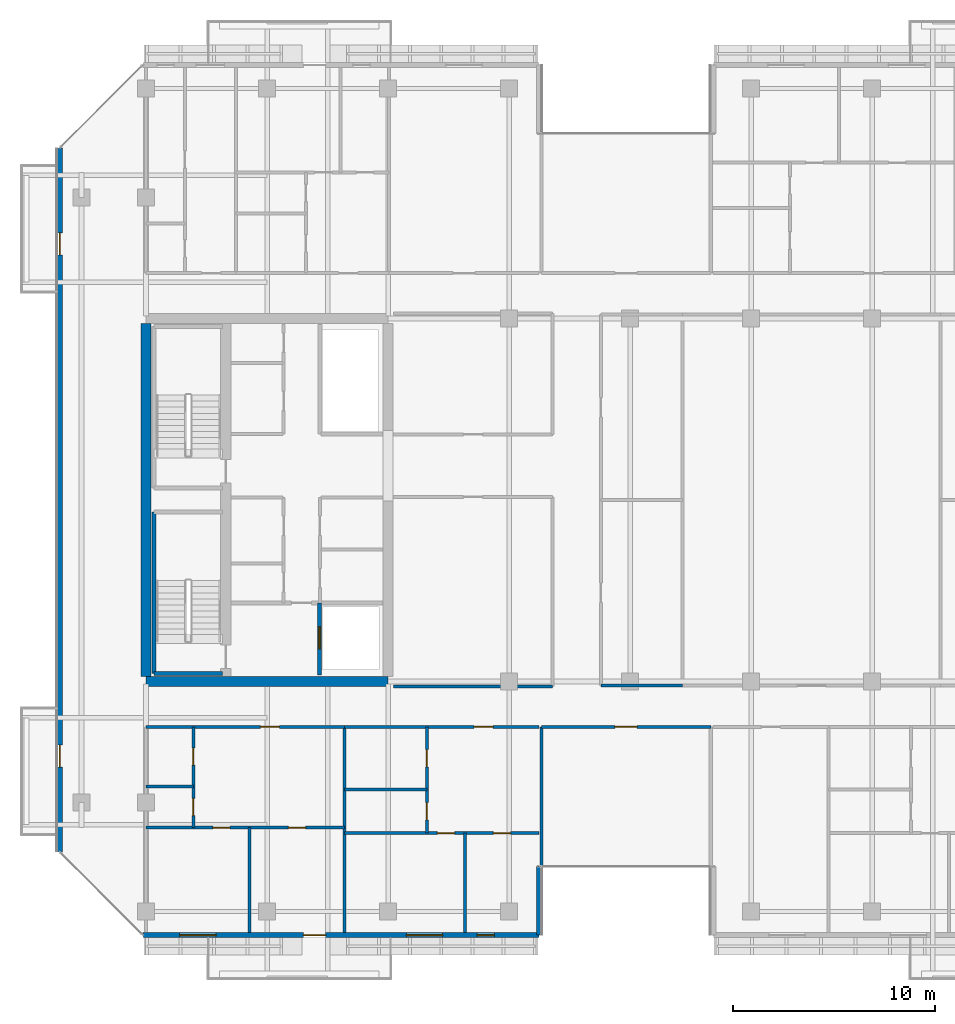
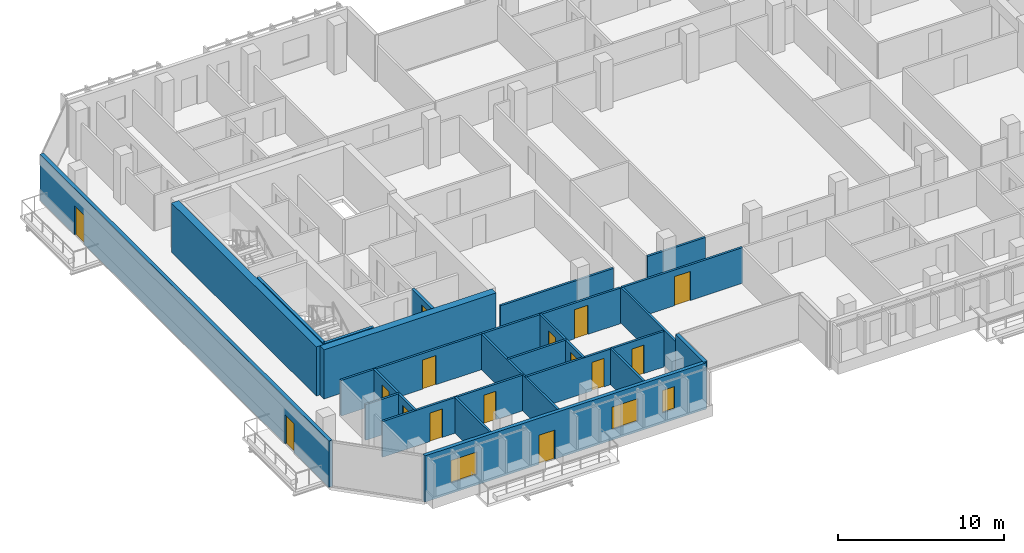
# One storey, part 19 of 30: 23 walls, 15 doors, 3 windows, 18 openings.
"""IFC4 building model written with IfcOpenShell, lengths in metres."""

import ifcopenshell
import ifcopenshell.guid

model = None  # the IFC model being written
_history = None  # IfcOwnerHistory: only IFC2X3 demands one
_inside = {}  # id of a spatial element -> (the spatial element, [elements in it])
_under = {}  # id of a project, library or spatial element -> (it, [spatial elements below it])
_declared = {}  # id of a project -> (the project, [libraries it declares])
_typed = {}  # id of a type object -> (the type object, [elements of that type])
_made_of = {}  # id of a material, layer set ... -> (it, [elements and type objects made of it])


def new_model(schema):
    """Start an empty IFC model of exactly this schema.

    Asked for "IFC4X3", IfcOpenShell would pick the latest addendum, in which some entities
    have other attributes; the version numbers below select the first issue.
    IFC2X3 requires an IfcOwnerHistory on every rooted entity: one is made here for all.
    """
    global model, _history
    if schema == "IFC4X3":
        model = ifcopenshell.file(schema_version=(4, 3, 0, 0))
    else:
        model = ifcopenshell.file(schema=schema)
    _inside.clear()
    _under.clear()
    _declared.clear()
    _typed.clear()
    _made_of.clear()
    _history = None
    if model.schema == "IFC2X3":
        org = make("IfcOrganization", Name="unknown")
        user = make(
            "IfcPersonAndOrganization",
            ThePerson=make("IfcPerson", FamilyName="unknown"),
            TheOrganization=org,
        )
        app = make(
            "IfcApplication",
            ApplicationDeveloper=org,
            Version="unknown",
            ApplicationFullName="unknown",
            ApplicationIdentifier="unknown",
        )
        _history = make(
            "IfcOwnerHistory",
            OwningUser=user,
            OwningApplication=app,
            ChangeAction="ADDED",
            CreationDate=0,
        )
    return model


def make(cls, **values):
    """One entity of the class cls with the attributes given. An attribute that is None is left unset."""
    return model.create_entity(
        cls, **{name: value for name, value in values.items() if value is not None}
    )


def rooted(cls, **values):
    """An entity with a GlobalId (a new one), such as an element, a storey or a relation."""
    return make(cls, GlobalId=ifcopenshell.guid.new(), OwnerHistory=_history, **values)


def si_unit(unit_type, name, prefix=None):
    """IfcSIUnit, for example si_unit("LENGTHUNIT", "METRE", prefix="MILLI")."""
    return make("IfcSIUnit", UnitType=unit_type, Prefix=prefix, Name=name)


def assignment(units):
    """IfcUnitAssignment: the units of a project."""
    return None if units is None else make("IfcUnitAssignment", Units=units)


def point(xyz):
    """IfcCartesianPoint."""
    return None if xyz is None else make("IfcCartesianPoint", Coordinates=xyz)


def direction(xyz):
    """IfcDirection."""
    return None if xyz is None else make("IfcDirection", DirectionRatios=xyz)


def frame(location, z_axis=None, x_axis=None):
    """IfcAxis2Placement3D, a coordinate frame: its origin and axes. An axis left out is left unset."""
    return make(
        "IfcAxis2Placement3D",
        Location=point(location),
        Axis=direction(z_axis),
        RefDirection=direction(x_axis),
    )


def frame_2d(location, x_axis=None):
    """IfcAxis2Placement2D, a coordinate frame in the plane: its origin and x axis."""
    return make(
        "IfcAxis2Placement2D", Location=point(location), RefDirection=direction(x_axis)
    )


def origin():
    """The frame at (0, 0, 0) with its axes left unset."""
    return frame((0.0, 0.0, 0.0))


def place(relative_to, where):
    """IfcLocalPlacement: puts the frame where relative to a parent placement (None: the world)."""
    return make(
        "IfcLocalPlacement", PlacementRelTo=relative_to, RelativePlacement=where
    )


def context(
    kind, dimensions, precision=None, world=None, true_north=None, identifier=None
):
    """IfcGeometricRepresentationContext, for example the 3D "Model" context."""
    return make(
        "IfcGeometricRepresentationContext",
        ContextIdentifier=identifier,
        ContextType=kind,
        CoordinateSpaceDimension=dimensions,
        Precision=precision,
        WorldCoordinateSystem=world,
        TrueNorth=true_north,
    )


def subcontext(parent, identifier, kind, view, scale=None):
    """IfcGeometricRepresentationSubContext, for example "Body" below "Model"."""
    return make(
        "IfcGeometricRepresentationSubContext",
        ContextIdentifier=identifier,
        ContextType=kind,
        ParentContext=parent,
        TargetScale=scale,
        TargetView=view,
    )


def project(units=None, contexts=None):
    """IfcProject with its units and contexts."""
    return rooted(
        "IfcProject",
        Name="project",
        RepresentationContexts=contexts,
        UnitsInContext=assignment(units),
    )


def spatial(cls, under=None, at=None, **own):
    """A site, building, storey or space (cls), placed at a placement, below another one or the project."""
    s = rooted(cls, ObjectPlacement=at, **own)
    if under is not None:
        _under.setdefault(under.id(), (under, []))[1].append(s)
    return s


def profile(cls, at=None, kind="AREA", **sizes):
    """A parametric profile (cls). Its sizes go by their IFC names, for example OverallWidth=200.0."""
    return make(cls, ProfileType=kind, Position=at, **sizes)


def rectangle(**sizes):
    """IfcRectangleProfileDef."""
    return profile("IfcRectangleProfileDef", **sizes)


def extrude(swept, where, along, depth):
    """IfcExtrudedAreaSolid: the profile swept, set in the frame where, extruded along a direction by depth."""
    return make(
        "IfcExtrudedAreaSolid",
        SweptArea=swept,
        Position=where,
        ExtrudedDirection=direction(along),
        Depth=depth,
    )


def shape(context_of_items, identifier, shape_type, items):
    """IfcShapeRepresentation: the items that make up one representation, for example the "Body"."""
    return make(
        "IfcShapeRepresentation",
        ContextOfItems=context_of_items,
        RepresentationIdentifier=identifier,
        RepresentationType=shape_type,
        Items=items,
    )


def material(Name=None, Category=None):
    """IfcMaterial."""
    return make("IfcMaterial", Name=Name, Category=Category)


def layer(
    of_material, thickness, ventilated=None, Name=None, Category=None, Priority=None
):
    """IfcMaterialLayer: one layer of a wall or slab, of a material (None: an air gap)."""
    return make(
        "IfcMaterialLayer",
        Material=of_material,
        LayerThickness=thickness,
        IsVentilated=ventilated,
        Name=Name,
        Category=Category,
        Priority=Priority,
    )


def layer_set(layers, Name=None):
    """IfcMaterialLayerSet."""
    return make("IfcMaterialLayerSet", MaterialLayers=layers, LayerSetName=Name)


def made_of(thing, what):
    """Note that an element or type object is made of a material, layer set ...; save() writes the relation."""
    if what is not None:
        _made_of.setdefault(what.id(), (what, []))[1].append(thing)
    return thing


def type_object(cls, material=None, **own):
    """A type object (cls), such as IfcWallType, which elements share."""
    return made_of(rooted(cls, **own), material)


def element(
    cls,
    number,
    at=None,
    inside=None,
    cuts=None,
    type_object=None,
    material=None,
    context=None,
    identifier="Body",
    shape_type=None,
    held_by="IfcProductDefinitionShape",
    body=None,
    shapes=None,
    **own,
):
    """One element of the class cls, such as IfcWall. Its Tag is "e" and its number.

    at: its placement. inside: the storey or other place that contains it. cuts: it is an
    opening in that element (IfcRelVoidsElement). A single representation is given by context,
    identifier, shape_type and body (its items); several are given by shapes. held_by: the class
    of the entity that holds the representations. save() writes the other relations.
    """
    e = rooted(cls, Tag="e%d" % number, ObjectPlacement=at, **own)
    if body is not None:
        shapes = [shape(context, identifier, shape_type, body)]
    if shapes is not None:
        e.Representation = make(held_by, Representations=shapes)
    if inside is not None:
        _inside.setdefault(inside.id(), (inside, []))[1].append(e)
    if cuts is not None:
        rooted(
            "IfcRelVoidsElement", RelatingBuildingElement=cuts, RelatedOpeningElement=e
        )
    if type_object is not None:
        _typed.setdefault(type_object.id(), (type_object, []))[1].append(e)
    return made_of(e, material)


def fill(opening, filler):
    """IfcRelFillsElement: the door or window that sits in an opening."""
    return rooted(
        "IfcRelFillsElement",
        RelatingOpeningElement=opening,
        RelatedBuildingElement=filler,
    )


def aggregate(whole, parts):
    """IfcRelAggregates: a whole, such as a stair, and the parts it consists of."""
    return rooted("IfcRelAggregates", RelatingObject=whole, RelatedObjects=parts)


def save(model, path):
    """Write the relations noted so far, then the file.

    IfcRelAggregates (storeys below a building ...), IfcRelContainedInSpatialStructure (elements
    in a storey), IfcRelDefinesByType, IfcRelAssociatesMaterial and IfcRelDeclares: one each for
    every whole, place, type object, material and project.
    """
    for whole, parts in _under.values():
        aggregate(whole, parts)
    for where, things in _inside.values():
        rooted(
            "IfcRelContainedInSpatialStructure",
            RelatedElements=things,
            RelatingStructure=where,
        )
    for kind, things in _typed.values():
        rooted("IfcRelDefinesByType", RelatedObjects=things, RelatingType=kind)
    for what, things in _made_of.values():
        rooted("IfcRelAssociatesMaterial", RelatedObjects=things, RelatingMaterial=what)
    for by, libraries in _declared.values():
        rooted("IfcRelDeclares", RelatingContext=by, RelatedDefinitions=libraries)
    model.write(path)


model = new_model("IFC4")

# Units and contexts
model_context = context("Model", 3, precision=1e-05, world=origin(), true_north=direction((0.0, 1.0)))
body_context = subcontext(model_context, "Body", "Model", "MODEL_VIEW")
ifc_project = project(units=[si_unit("LENGTHUNIT", "METRE"), si_unit("AREAUNIT", "SQUARE_METRE"), si_unit("VOLUMEUNIT", "CUBIC_METRE"), si_unit("PLANEANGLEUNIT", "RADIAN"), si_unit("MASSUNIT", "GRAM", prefix="KILO")], contexts=[model_context])

# Site, building, storey
site_placement = place(None, origin())
site = spatial("IfcSite", under=ifc_project, at=site_placement, CompositionType="ELEMENT")
building_placement = place(site_placement, origin())
building = spatial("IfcBuilding", under=site, at=building_placement, Name="Tanjung Sevakor Pilgrim Tower", CompositionType="ELEMENT")
storey_placement = place(building_placement, frame((0.0, 0.0, 165.659912109375)))
storey = spatial("IfcBuildingStorey", under=building, at=storey_placement, Name="L46", CompositionType="ELEMENT", Elevation=165.659912109375)

# Walls
ifc_material_1 = material(Name="Concrete C60/75", Category="concrete")
ifc_layer_1 = layer(ifc_material_1, 0.5)
ifc_layer_set_1 = layer_set([ifc_layer_1], Name="WALL-CW-500")
wall_type_1 = type_object("IfcWallType", Name="WALL-CW-500", PredefinedType="SHEAR", material=ifc_layer_set_1)
wall_1_placement = place(storey_placement, frame((24.0, 24.60009765625, 0.0), z_axis=(0.0, 0.0, 1.0), x_axis=(1.0, 0.0, 0.0)))
element("IfcWall", 1, at=wall_1_placement, inside=storey, type_object=wall_type_1, Name="L46 W Core South Shear Wall", PredefinedType="SHEAR", context=body_context, shape_type="SweptSolid", body=[
    extrude(rectangle(XDim=12.0, YDim=0.5, at=frame_2d((6.0, 0.0))), origin(), (0.0, 0.0, 1.0), 3.630126953125),
])
wall_2_placement = place(storey_placement, frame((24.0, 24.85009765625, 0.0), z_axis=(0.0, 0.0, 1.0), x_axis=(0.0, 1.0, 0.0)))
element("IfcWall", 2, at=wall_2_placement, inside=storey, type_object=wall_type_1, Name="L46 W Core Outer Shear Wall", PredefinedType="SHEAR", context=body_context, shape_type="SweptSolid", body=[
    extrude(rectangle(XDim=17.5, YDim=0.5, at=frame_2d((8.75, 0.0))), origin(), (0.0, 0.0, 1.0), 3.630126953125),
])
ifc_material_2 = material(Name="Concrete C40/50", Category="concrete")
ifc_layer_2 = layer(ifc_material_2, 0.14990234375)
ifc_layer_set_2 = layer_set([ifc_layer_2], Name="WT-COMP-150")
wall_type_2 = type_object("IfcWallType", Name="WT-COMP-150", PredefinedType="SOLIDWALL", material=ifc_layer_set_2)
wall_3_placement = place(storey_placement, frame((36.27001953125, 24.35009765625, 0.0), z_axis=(0.0, 0.0, 1.0), x_axis=(1.0, 0.0, 0.0)))
element("IfcWall", 3, at=wall_3_placement, inside=storey, type_object=wall_type_2, Name="L46 Partition IW-L46-027", PredefinedType="SOLIDWALL", context=body_context, shape_type="SweptSolid", body=[
    extrude(rectangle(XDim=7.8798828125, YDim=0.14990234375, at=frame_2d((3.93994140625, 0.0))), origin(), (0.0, 0.0, 1.0), 2.6298828125),
])
wall_4_placement = place(storey_placement, frame((46.550048828125, 24.39990234375, 0.0), z_axis=(0.0, 0.0, 1.0), x_axis=(1.0, 0.0, 0.0)))
element("IfcWall", 4, at=wall_4_placement, inside=storey, type_object=wall_type_2, Name="L46 Partition IW-L46-039", PredefinedType="SOLIDWALL", context=body_context, shape_type="SweptSolid", body=[
    extrude(rectangle(XDim=4.050048828125, YDim=0.14990234375, at=frame_2d((2.02490234375, 0.0))), origin(), (0.0, 0.0, 1.0), 2.6298828125),
])

# Wall, opening, door
wall_5_placement = place(storey_placement, frame((43.60009765625, 22.35009765625, 0.0), z_axis=(0.0, 0.0, 1.0), x_axis=(1.0, 0.0, 0.0)))
wall_5 = element("IfcWall", 5, at=wall_5_placement, inside=storey, type_object=wall_type_2, Name="L46 Partition IW-L46-053", PredefinedType="SOLIDWALL", context=body_context, shape_type="SweptSolid", body=[
    extrude(rectangle(XDim=8.39990234375, YDim=0.14990234375, at=frame_2d((4.199951171875, 0.0))), origin(), (0.0, 0.0, 1.0), 2.6298828125),
])
opening_1_placement = place(wall_5_placement, frame((3.64990234375, 0.0, 0.0)))
opening_1 = element("IfcOpeningElement", 6, at=opening_1_placement, cuts=wall_5, Name="Opening ID-RM2", PredefinedType="OPENING", context=body_context, shape_type="SweptSolid", body=[
    extrude(rectangle(XDim=1.10009765625, YDim=2.14990234375, at=frame_2d((0.550048828125, 1.074951171875))), frame((0.0, 0.0849609375, 0.0), z_axis=(0.0, -1.0, 0.0), x_axis=(1.0, 0.0, 0.0)), (0.0, 0.0, 1.0), 0.169921875),
])
ifc_material_3 = material(Name="Hardwood Timber", Category="wood")
door_type_1 = type_object("IfcDoorType", Name="DT-INT-1100", OperationType="NOTDEFINED", PredefinedType="DOOR", material=ifc_material_3)
door_1_placement = place(opening_1_placement, origin())
door_1 = element("IfcDoor", 7, at=door_1_placement, inside=storey, type_object=door_type_1, Name="L46 South Cleft Observatory Door", OperationType="SINGLE_SWING_LEFT", OverallHeight=2.14990234375, OverallWidth=1.10009765625, PredefinedType="DOOR", context=body_context, shape_type="SweptSolid", body=[
    extrude(rectangle(XDim=1.10009765625, YDim=2.14990234375, at=frame_2d((0.550048828125, 1.074951171875))), frame((0.0, 0.02490234375, 0.0), z_axis=(0.0, -1.0, 0.0), x_axis=(1.0, 0.0, 0.0)), (0.0, 0.0, 1.0), 0.050048828125),
])
fill(opening_1, door_1)

# Walls
for number, where, z_axis, x_axis, name in (
    (8, (43.60009765625, 12.14990234375, 0.0), (0.0, 0.0, 1.0), (0.0, 1.0, 0.0), "L46 Partition IW-L46-054"),
    (9, (33.8447265625, 12.14990234375, 0.0), (0.0, 0.0, 1.0), (0.0, 1.0, 0.0), "L46 Partition IW-L46-060"),
):
    element("IfcWall", number, at=place(storey_placement, frame(where, z_axis=z_axis, x_axis=x_axis)), inside=storey, type_object=wall_type_2, Name=name, PredefinedType="SOLIDWALL", context=body_context, shape_type="SweptSolid", body=[
        extrude(rectangle(XDim=10.2001953125, YDim=0.14990234375, at=frame_2d((5.10009765625, 0.0))), origin(), (0.0, 0.0, 1.0), 2.6298828125),
    ])

# Wall, opening, door
wall_6_placement = place(storey_placement, frame((24.0, 22.35009765625, 0.0), z_axis=(0.0, 0.0, 1.0), x_axis=(1.0, 0.0, 0.0)))
wall_6 = element("IfcWall", 10, at=wall_6_placement, inside=storey, type_object=wall_type_2, Name="L46 Partition IW-L46-065", PredefinedType="SOLIDWALL", context=body_context, shape_type="SweptSolid", body=[
    extrude(rectangle(XDim=9.8447265625, YDim=0.14990234375, at=frame_2d((4.92236328125, 0.0))), origin(), (0.0, 0.0, 1.0), 2.6298828125),
])
opening_2_placement = place(wall_6_placement, frame((5.662353515625, 0.0, 0.0)))
opening_2 = element("IfcOpeningElement", 11, at=opening_2_placement, cuts=wall_6, Name="Opening ID-FD2", PredefinedType="OPENING", context=body_context, shape_type="SweptSolid", body=[
    extrude(rectangle(XDim=0.949951171875, YDim=2.14990234375, at=frame_2d((0.47509765625, 1.074951171875))), frame((0.0, 0.0849609375, 0.0), z_axis=(0.0, -1.0, 0.0), x_axis=(1.0, 0.0, 0.0)), (0.0, 0.0, 1.0), 0.169921875),
])
ifc_material_4 = material(Name="Fire-Rated Timber", Category="wood")
door_type_2 = type_object("IfcDoorType", Name="DT-FIRE-950", OperationType="NOTDEFINED", PredefinedType="DOOR", material=ifc_material_4)
door_2_placement = place(opening_2_placement, origin())
door_2 = element("IfcDoor", 12, at=door_2_placement, inside=storey, type_object=door_type_2, Name="Suite Entrance", OperationType="SINGLE_SWING_LEFT", OverallHeight=2.14990234375, OverallWidth=0.949951171875, PredefinedType="DOOR", context=body_context, shape_type="SweptSolid", body=[
    extrude(rectangle(XDim=0.949951171875, YDim=2.14990234375, at=frame_2d((0.47509765625, 1.074951171875))), frame((0.0, 0.02490234375, 0.0), z_axis=(0.0, -1.0, 0.0), x_axis=(1.0, 0.0, 0.0)), (0.0, 0.0, 1.0), 0.050048828125),
])
fill(opening_2, door_2)

wall_7_placement = place(storey_placement, frame((33.8447265625, 22.35009765625, 0.0), z_axis=(0.0, 0.0, 1.0), x_axis=(1.0, 0.0, 0.0)))
wall_7 = element("IfcWall", 13, at=wall_7_placement, inside=storey, type_object=wall_type_2, Name="L46 Partition IW-L46-070", PredefinedType="SOLIDWALL", context=body_context, shape_type="SweptSolid", body=[
    extrude(rectangle(XDim=9.63525390625, YDim=0.14990234375, at=frame_2d((4.817626953125, 0.0))), origin(), (0.0, 0.0, 1.0), 2.6298828125),
])
opening_3_placement = place(wall_7_placement, frame((6.42041015625, 0.0, 0.0)))
opening_3 = element("IfcOpeningElement", 14, at=opening_3_placement, cuts=wall_7, Name="Opening ID-FD2", PredefinedType="OPENING", context=body_context, shape_type="SweptSolid", body=[
    extrude(rectangle(XDim=0.949951171875, YDim=2.14990234375, at=frame_2d((0.47509765625, 1.074951171875))), frame((0.0, 0.0849609375, 0.0), z_axis=(0.0, -1.0, 0.0), x_axis=(1.0, 0.0, 0.0)), (0.0, 0.0, 1.0), 0.169921875),
])
door_3_placement = place(opening_3_placement, origin())
door_3 = element("IfcDoor", 15, at=door_3_placement, inside=storey, type_object=door_type_2, Name="Suite Entrance", OperationType="SINGLE_SWING_RIGHT", OverallHeight=2.14990234375, OverallWidth=0.949951171875, PredefinedType="DOOR", context=body_context, shape_type="SweptSolid", body=[
    extrude(rectangle(XDim=0.949951171875, YDim=2.14990234375, at=frame_2d((0.47509765625, 1.074951171875))), frame((0.0, 0.02490234375, 0.0), z_axis=(0.0, -1.0, 0.0), x_axis=(1.0, 0.0, 0.0)), (0.0, 0.0, 1.0), 0.050048828125),
])
fill(opening_3, door_3)

# Wall, openings, door, windows
ifc_material_5 = material(Name="Precast concrete C45/55", Category="concrete")
ifc_layer_3 = layer(ifc_material_5, 0.25)
ifc_layer_set_3 = layer_set([ifc_layer_3], Name="WT-EW-STN3")
wall_type_3 = type_object("IfcWallType", Name="WT-EW-STN3", PredefinedType="SOLIDWALL", material=ifc_layer_set_3)
wall_8_placement = place(storey_placement, frame((23.851806640625, 12.02490234375, 0.0), z_axis=(0.0, 0.0, 1.0), x_axis=(1.0, 0.0, 0.0)))
wall_8 = element("IfcWall", 16, at=wall_8_placement, inside=storey, type_object=wall_type_3, Name="L46 MAIN Exterior Wall 1", PredefinedType="SOLIDWALL", context=body_context, shape_type="SweptSolid", body=[
    extrude(rectangle(XDim=19.623291015625, YDim=0.25, at=frame_2d((9.8115234375, 0.0))), origin(), (0.0, 0.0, 1.0), 3.409912109375),
])
opening_4_placement = place(wall_8_placement, frame((7.9482421875, 0.0, 0.0)))
opening_4 = element("IfcOpeningElement", 17, at=opening_4_placement, cuts=wall_8, Name="Opening ED-BAL-1100", PredefinedType="OPENING", context=body_context, shape_type="SweptSolid", body=[
    extrude(rectangle(XDim=1.10009765625, YDim=2.14990234375, at=frame_2d((0.550048828125, 1.074951171875))), frame((0.0, 0.135009765625, 0.0), z_axis=(0.0, -1.0, 0.0), x_axis=(1.0, 0.0, 0.0)), (0.0, 0.0, 1.0), 0.27001953125),
])
opening_5_placement = place(wall_8_placement, frame((1.81787109375, 0.0, 0.780029296875)))
opening_5 = element("IfcOpeningElement", 18, at=opening_5_placement, cuts=wall_8, Name="Opening WN-Z3-1660", PredefinedType="OPENING", context=body_context, shape_type="SweptSolid", body=[
    extrude(rectangle(XDim=1.800048828125, YDim=1.659912109375, at=frame_2d((0.89990234375, 0.830078125))), frame((0.0, 0.135009765625, 0.0), z_axis=(0.0, -1.0, 0.0), x_axis=(1.0, 0.0, 0.0)), (0.0, 0.0, 1.0), 0.27001953125),
])
opening_6_placement = place(wall_8_placement, frame((13.050537109375, 0.0, 0.780029296875)))
opening_6 = element("IfcOpeningElement", 19, at=opening_6_placement, cuts=wall_8, Name="Opening WN-Z3-1660", PredefinedType="OPENING", context=body_context, shape_type="SweptSolid", body=[
    extrude(rectangle(XDim=1.800048828125, YDim=1.659912109375, at=frame_2d((0.89990234375, 0.830078125))), frame((0.0, 0.135009765625, 0.0), z_axis=(0.0, -1.0, 0.0), x_axis=(1.0, 0.0, 0.0)), (0.0, 0.0, 1.0), 0.27001953125),
])
opening_7_placement = place(wall_8_placement, frame((16.563232421875, 0.0, 0.780029296875)))
opening_7 = element("IfcOpeningElement", 20, at=opening_7_placement, cuts=wall_8, Name="Opening WN-SLM", PredefinedType="OPENING", context=body_context, shape_type="SweptSolid", body=[
    extrude(rectangle(XDim=0.85009765625, YDim=1.64990234375, at=frame_2d((0.425048828125, 0.824951171875))), frame((0.0, 0.135009765625, 0.0), z_axis=(0.0, -1.0, 0.0), x_axis=(1.0, 0.0, 0.0)), (0.0, 0.0, 1.0), 0.27001953125),
])
ifc_material_6 = material(Name="Anodised Aluminium and Laminated Glass", Category="aluminium")
door_type_3 = type_object("IfcDoorType", Name="DTYP-ED-BAL-1100", OperationType="NOTDEFINED", PredefinedType="DOOR", material=ifc_material_6)
door_4_placement = place(opening_4_placement, frame((1.10009765625, 0.0, 0.0), z_axis=(0.0, 0.0, 1.0), x_axis=(-1.0, 0.0, 0.0)))
door_4 = element("IfcDoor", 21, at=door_4_placement, inside=storey, type_object=door_type_3, Name="L46 Balcony Door MAIN-S1", OperationType="SINGLE_SWING_RIGHT", OverallHeight=2.14990234375, OverallWidth=1.10009765625, PredefinedType="DOOR", context=body_context, shape_type="SweptSolid", body=[
    extrude(rectangle(XDim=1.10009765625, YDim=2.14990234375, at=frame_2d((0.550048828125, 1.074951171875))), frame((0.0, 0.02490234375, 0.0), z_axis=(0.0, -1.0, 0.0), x_axis=(1.0, 0.0, 0.0)), (0.0, 0.0, 1.0), 0.050048828125),
])
fill(opening_4, door_4)
ifc_material_7 = material(Name="Thermally Broken Aluminium and Low-E Glass", Category="aluminium")
window_type_1 = type_object("IfcWindowType", Name="WTYP-WN-SLM", PartitioningType="SINGLE_PANEL", PredefinedType="WINDOW", material=ifc_material_7)
window_1_placement = place(opening_7_placement, origin())
window_1 = element("IfcWindow", 22, at=window_1_placement, inside=storey, type_object=window_type_1, Name="L46 Facade Window 03", OverallHeight=1.64990234375, OverallWidth=0.85009765625, PartitioningType="SINGLE_PANEL", PredefinedType="WINDOW", context=body_context, shape_type="SweptSolid", body=[
    extrude(rectangle(XDim=0.85009765625, YDim=1.64990234375, at=frame_2d((0.425048828125, 0.824951171875))), frame((0.0, 0.030029296875, 0.0), z_axis=(0.0, -1.0, 0.0), x_axis=(1.0, 0.0, 0.0)), (0.0, 0.0, 1.0), 0.06005859375),
])
fill(opening_7, window_1)
ifc_material_8 = material(Name="Thermally Broken Aluminium and Low-E Glass", Category="aluminium")
window_type_2 = type_object("IfcWindowType", Name="WTYP-WN-Z3-1660", PartitioningType="DOUBLE_PANEL_VERTICAL", PredefinedType="WINDOW", material=ifc_material_8)
window_2_placement = place(opening_5_placement, origin())
window_2 = element("IfcWindow", 23, at=window_2_placement, inside=storey, type_object=window_type_2, Name="L46 Facade Window 01", OverallHeight=1.659912109375, OverallWidth=1.800048828125, PartitioningType="SINGLE_PANEL", PredefinedType="WINDOW", context=body_context, shape_type="SweptSolid", body=[
    extrude(rectangle(XDim=1.800048828125, YDim=1.659912109375, at=frame_2d((0.89990234375, 0.830078125))), frame((0.0, 0.030029296875, 0.0), z_axis=(0.0, -1.0, 0.0), x_axis=(1.0, 0.0, 0.0)), (0.0, 0.0, 1.0), 0.06005859375),
])
fill(opening_5, window_2)
window_3_placement = place(opening_6_placement, origin())
window_3 = element("IfcWindow", 24, at=window_3_placement, inside=storey, type_object=window_type_2, Name="L46 Facade Window 02", OverallHeight=1.659912109375, OverallWidth=1.800048828125, PartitioningType="SINGLE_PANEL", PredefinedType="WINDOW", context=body_context, shape_type="SweptSolid", body=[
    extrude(rectangle(XDim=1.800048828125, YDim=1.659912109375, at=frame_2d((0.89990234375, 0.830078125))), frame((0.0, 0.030029296875, 0.0), z_axis=(0.0, -1.0, 0.0), x_axis=(1.0, 0.0, 0.0)), (0.0, 0.0, 1.0), 0.06005859375),
])
fill(opening_6, window_3)

# Wall
wall_9_placement = place(storey_placement, frame((43.47509765625, 12.02490234375, 0.0), z_axis=(0.0, 0.0, 1.0), x_axis=(0.0, 1.0, 0.0)))
element("IfcWall", 25, at=wall_9_placement, inside=storey, type_object=wall_type_3, Name="L46 MAIN Exterior Wall 2", PredefinedType="SOLIDWALL", context=body_context, shape_type="SweptSolid", body=[
    extrude(rectangle(XDim=3.400146484375, YDim=0.25, at=frame_2d((1.7001953125, 0.0))), origin(), (0.0, 0.0, 1.0), 3.409912109375),
])

# Wall, openings, doors
wall_10_placement = place(storey_placement, frame((19.72509765625, 51.048095703125, 0.0), z_axis=(0.0, 0.0, 1.0), x_axis=(0.0, -1.0, 0.0)))
wall_10 = element("IfcWall", 26, at=wall_10_placement, inside=storey, type_object=wall_type_3, Name="L46 MAIN Exterior Wall 15", PredefinedType="SOLIDWALL", context=body_context, shape_type="SweptSolid", body=[
    extrude(rectangle(XDim=34.896240234375, YDim=0.25, at=frame_2d((17.4482421875, 0.0))), origin(), (0.0, 0.0, 1.0), 3.409912109375),
])
opening_8_placement = place(wall_10_placement, frame((29.59814453125, 0.0, 0.0)))
opening_8 = element("IfcOpeningElement", 27, at=opening_8_placement, cuts=wall_10, Name="Opening ED-BAL-1100", PredefinedType="OPENING", context=body_context, shape_type="SweptSolid", body=[
    extrude(rectangle(XDim=1.10009765625, YDim=2.14990234375, at=frame_2d((0.550048828125, 1.074951171875))), frame((0.0, 0.135009765625, 0.0), z_axis=(0.0, -1.0, 0.0), x_axis=(1.0, 0.0, 0.0)), (0.0, 0.0, 1.0), 0.27001953125),
])
opening_9_placement = place(wall_10_placement, frame((4.1982421875, 0.0, 0.0)))
opening_9 = element("IfcOpeningElement", 28, at=opening_9_placement, cuts=wall_10, Name="Opening ED-BAL-1100", PredefinedType="OPENING", context=body_context, shape_type="SweptSolid", body=[
    extrude(rectangle(XDim=1.10009765625, YDim=2.14990234375, at=frame_2d((0.550048828125, 1.074951171875))), frame((0.0, 0.135009765625, 0.0), z_axis=(0.0, -1.0, 0.0), x_axis=(1.0, 0.0, 0.0)), (0.0, 0.0, 1.0), 0.27001953125),
])
door_5_placement = place(opening_8_placement, frame((1.10009765625, 0.0, 0.0), z_axis=(0.0, 0.0, 1.0), x_axis=(-1.0, 0.0, 0.0)))
door_5 = element("IfcDoor", 29, at=door_5_placement, inside=storey, type_object=door_type_3, Name="L46 West Loggia Door MAIN-W1", OperationType="SINGLE_SWING_RIGHT", OverallHeight=2.14990234375, OverallWidth=1.10009765625, PredefinedType="DOOR", context=body_context, shape_type="SweptSolid", body=[
    extrude(rectangle(XDim=1.10009765625, YDim=2.14990234375, at=frame_2d((0.550048828125, 1.074951171875))), frame((0.0, 0.02490234375, 0.0), z_axis=(0.0, -1.0, 0.0), x_axis=(1.0, 0.0, 0.0)), (0.0, 0.0, 1.0), 0.050048828125),
])
fill(opening_8, door_5)
door_6_placement = place(opening_9_placement, frame((1.10009765625, 0.0, 0.0), z_axis=(0.0, 0.0, 1.0), x_axis=(-1.0, 0.0, 0.0)))
door_6 = element("IfcDoor", 30, at=door_6_placement, inside=storey, type_object=door_type_3, Name="L46 West Loggia Door MAIN-W2", OperationType="SINGLE_SWING_LEFT", OverallHeight=2.14990234375, OverallWidth=1.10009765625, PredefinedType="DOOR", context=body_context, shape_type="SweptSolid", body=[
    extrude(rectangle(XDim=1.10009765625, YDim=2.14990234375, at=frame_2d((0.550048828125, 1.074951171875))), frame((0.0, 0.02490234375, 0.0), z_axis=(0.0, -1.0, 0.0), x_axis=(1.0, 0.0, 0.0)), (0.0, 0.0, 1.0), 0.050048828125),
])
fill(opening_9, door_6)

# Walls
ifc_material_9 = material(Name="Concrete C40/50", Category="concrete")
ifc_layer_4 = layer(ifc_material_9, 0.199951171875)
ifc_layer_set_4 = layer_set([ifc_layer_4], Name="WT-FIRE-200")
wall_type_4 = type_object("IfcWallType", Name="WT-FIRE-200", PredefinedType="SOLIDWALL", material=ifc_layer_set_4)
wall_11_placement = place(storey_placement, frame((24.39990234375, 25.0, 0.0), z_axis=(0.0, 0.0, 1.0), x_axis=(1.0, 0.0, 0.0)))
element("IfcWall", 31, at=wall_11_placement, inside=storey, type_object=wall_type_4, Name="L46 TS-W1 Shaft Wall 1", PredefinedType="SOLIDWALL", context=body_context, shape_type="SweptSolid", body=[
    extrude(rectangle(XDim=3.400146484375, YDim=0.199951171875, at=frame_2d((1.7001953125, 0.0))), origin(), (0.0, 0.0, 1.0), 3.630126953125),
])
wall_12_placement = place(storey_placement, frame((24.39990234375, 33.0, 0.0), z_axis=(0.0, 0.0, 1.0), x_axis=(0.0, -1.0, 0.0)))
element("IfcWall", 32, at=wall_12_placement, inside=storey, type_object=wall_type_4, Name="L46 TS-W1 Shaft Wall 3", PredefinedType="SOLIDWALL", context=body_context, shape_type="SweptSolid", body=[
    extrude(rectangle(XDim=8.0, YDim=0.199951171875, at=frame_2d((4.0, 0.0))), origin(), (0.0, 0.0, 1.0), 3.630126953125),
])

# Wall, opening, door
ifc_material_10 = material(Name="Concrete C40/50", Category="concrete")
ifc_layer_5 = layer(ifc_material_10, 0.199951171875)
ifc_layer_set_5 = layer_set([ifc_layer_5], Name="WT-FPRT-200")
wall_type_5 = type_object("IfcWallType", Name="WT-FPRT-200", PredefinedType="SOLIDWALL", material=ifc_layer_set_5)
wall_13_placement = place(storey_placement, frame((32.60009765625, 24.919921875, 0.0), z_axis=(0.0, 0.0, 1.0), x_axis=(0.0, 1.0, 0.0)))
wall_13 = element("IfcWall", 33, at=wall_13_placement, inside=storey, type_object=wall_type_5, Name="L46 Partition IW-L46-001", PredefinedType="SOLIDWALL", context=body_context, shape_type="SweptSolid", body=[
    extrude(rectangle(XDim=3.580078125, YDim=0.199951171875, at=frame_2d((1.7900390625, 0.0))), origin(), (0.0, 0.0, 1.0), 2.6298828125),
])
opening_10_placement = place(wall_13_placement, frame((1.300048828125, 0.0, 0.0)))
opening_10 = element("IfcOpeningElement", 34, at=opening_10_placement, cuts=wall_13, Name="Opening LD-1100", PredefinedType="OPENING", context=body_context, shape_type="SweptSolid", body=[
    extrude(rectangle(XDim=1.10009765625, YDim=2.199951171875, at=frame_2d((0.550048828125, 1.10009765625))), frame((0.0, 0.10986328125, 0.0), z_axis=(0.0, -1.0, 0.0), x_axis=(1.0, 0.0, 0.0)), (0.0, 0.0, 1.0), 0.219970703125),
])
ifc_material_11 = material(Name="Brushed Stainless Steel S355J2", Category="steel")
door_type_4 = type_object("IfcDoorType", Name="DT-LIFT-1100", OperationType="SLIDING_TO_LEFT", PredefinedType="DOOR", material=ifc_material_11)
door_7_placement = place(opening_10_placement, origin())
door_7 = element("IfcDoor", 35, at=door_7_placement, inside=storey, type_object=door_type_4, Name="LD-FL-W", OperationType="SLIDING_TO_LEFT", OverallHeight=2.199951171875, OverallWidth=1.10009765625, PredefinedType="DOOR", context=body_context, shape_type="SweptSolid", body=[
    extrude(rectangle(XDim=1.10009765625, YDim=2.199951171875, at=frame_2d((0.550048828125, 1.10009765625))), frame((0.0, 0.02490234375, 0.0), z_axis=(0.0, -1.0, 0.0), x_axis=(1.0, 0.0, 0.0)), (0.0, 0.0, 1.0), 0.050048828125),
])
fill(opening_10, door_7)

# Wall
ifc_material_12 = material(Name="Gypsum Board Partition", Category="gypsum board")
ifc_layer_6 = layer(ifc_material_12, 0.14990234375)
ifc_layer_set_6 = layer_set([ifc_layer_6], Name="WT-PART-150")
wall_type_6 = type_object("IfcWallType", Name="WT-PART-150", PredefinedType="PARTITIONING", material=ifc_layer_set_6)
wall_14_placement = place(storey_placement, frame((24.0, 19.39990234375, 0.0), z_axis=(0.0, 0.0, 1.0), x_axis=(1.0, 0.0, 0.0)))
element("IfcWall", 36, at=wall_14_placement, inside=storey, type_object=wall_type_6, Name="L46 Partition IW-L46-061", PredefinedType="PARTITIONING", context=body_context, shape_type="SweptSolid", body=[
    extrude(rectangle(XDim=2.35009765625, YDim=0.14990234375, at=frame_2d((1.175048828125, 0.0))), origin(), (0.0, 0.0, 1.0), 2.6298828125),
])

# Wall, openings, doors
wall_15_placement = place(storey_placement, frame((26.35009765625, 17.35009765625, 0.0), z_axis=(0.0, 0.0, 1.0), x_axis=(0.0, 1.0, 0.0)))
wall_15 = element("IfcWall", 37, at=wall_15_placement, inside=storey, type_object=wall_type_6, Name="L46 Partition IW-L46-062", PredefinedType="PARTITIONING", context=body_context, shape_type="SweptSolid", body=[
    extrude(rectangle(XDim=5.0, YDim=0.14990234375, at=frame_2d((2.5, 0.0))), origin(), (0.0, 0.0, 1.0), 2.6298828125),
])
opening_11_placement = place(wall_15_placement, frame((0.60009765625, 0.0, 0.0)))
opening_11 = element("IfcOpeningElement", 38, at=opening_11_placement, cuts=wall_15, Name="Opening ID-WC1", PredefinedType="OPENING", context=body_context, shape_type="SweptSolid", body=[
    extrude(rectangle(XDim=0.85009765625, YDim=2.10009765625, at=frame_2d((0.425048828125, 1.050048828125))), frame((0.0, 0.0849609375, 0.0), z_axis=(0.0, -1.0, 0.0), x_axis=(1.0, 0.0, 0.0)), (0.0, 0.0, 1.0), 0.169921875),
])
opening_12_placement = place(wall_15_placement, frame((3.10009765625, 0.0, 0.0)))
opening_12 = element("IfcOpeningElement", 39, at=opening_12_placement, cuts=wall_15, Name="Opening ID-WC1", PredefinedType="OPENING", context=body_context, shape_type="SweptSolid", body=[
    extrude(rectangle(XDim=0.85009765625, YDim=2.10009765625, at=frame_2d((0.425048828125, 1.050048828125))), frame((0.0, 0.0849609375, 0.0), z_axis=(0.0, -1.0, 0.0), x_axis=(1.0, 0.0, 0.0)), (0.0, 0.0, 1.0), 0.169921875),
])
ifc_material_13 = material(Name="Moisture-Resistant Timber", Category="wood")
door_type_5 = type_object("IfcDoorType", Name="DT-INT-850", OperationType="NOTDEFINED", PredefinedType="DOOR", material=ifc_material_13)
door_8_placement = place(opening_11_placement, origin())
door_8 = element("IfcDoor", 40, at=door_8_placement, inside=storey, type_object=door_type_5, Name="Suite Bathroom Door", OperationType="SINGLE_SWING_LEFT", OverallHeight=2.10009765625, OverallWidth=0.85009765625, PredefinedType="DOOR", context=body_context, shape_type="SweptSolid", body=[
    extrude(rectangle(XDim=0.85009765625, YDim=2.10009765625, at=frame_2d((0.425048828125, 1.050048828125))), frame((0.0, 0.02490234375, 0.0), z_axis=(0.0, -1.0, 0.0), x_axis=(1.0, 0.0, 0.0)), (0.0, 0.0, 1.0), 0.050048828125),
])
fill(opening_11, door_8)
door_9_placement = place(opening_12_placement, origin())
door_9 = element("IfcDoor", 41, at=door_9_placement, inside=storey, type_object=door_type_5, Name="Suite Kitchenette Door", OperationType="SINGLE_SWING_RIGHT", OverallHeight=2.10009765625, OverallWidth=0.85009765625, PredefinedType="DOOR", context=body_context, shape_type="SweptSolid", body=[
    extrude(rectangle(XDim=0.85009765625, YDim=2.10009765625, at=frame_2d((0.425048828125, 1.050048828125))), frame((0.0, 0.02490234375, 0.0), z_axis=(0.0, -1.0, 0.0), x_axis=(1.0, 0.0, 0.0)), (0.0, 0.0, 1.0), 0.050048828125),
])
fill(opening_12, door_9)

# Wall
wall_16_placement = place(storey_placement, frame((29.119140625, 12.14990234375, 0.0), z_axis=(0.0, 0.0, 1.0), x_axis=(0.0, 1.0, 0.0)))
element("IfcWall", 42, at=wall_16_placement, inside=storey, type_object=wall_type_6, Name="L46 Partition IW-L46-063", PredefinedType="PARTITIONING", context=body_context, shape_type="SweptSolid", body=[
    extrude(rectangle(XDim=5.2001953125, YDim=0.14990234375, at=frame_2d((2.60009765625, 0.0))), origin(), (0.0, 0.0, 1.0), 2.6298828125),
])

# Wall, openings, doors
wall_17_placement = place(storey_placement, frame((24.0, 17.35009765625, 0.0), z_axis=(0.0, 0.0, 1.0), x_axis=(1.0, 0.0, 0.0)))
wall_17 = element("IfcWall", 43, at=wall_17_placement, inside=storey, type_object=wall_type_6, Name="L46 Partition IW-L46-064", PredefinedType="PARTITIONING", context=body_context, shape_type="SweptSolid", body=[
    extrude(rectangle(XDim=9.8447265625, YDim=0.14990234375, at=frame_2d((4.92236328125, 0.0))), origin(), (0.0, 0.0, 1.0), 2.6298828125),
])
opening_13_placement = place(wall_17_placement, frame((3.3095703125, 0.0, 0.0)))
opening_13 = element("IfcOpeningElement", 44, at=opening_13_placement, cuts=wall_17, Name="Opening ID-WC1", PredefinedType="OPENING", context=body_context, shape_type="SweptSolid", body=[
    extrude(rectangle(XDim=0.85009765625, YDim=2.10009765625, at=frame_2d((0.425048828125, 1.050048828125))), frame((0.0, 0.0849609375, 0.0), z_axis=(0.0, -1.0, 0.0), x_axis=(1.0, 0.0, 0.0)), (0.0, 0.0, 1.0), 0.169921875),
])
opening_14_placement = place(wall_17_placement, frame((7.056884765625, 0.0, 0.0)))
opening_14 = element("IfcOpeningElement", 45, at=opening_14_placement, cuts=wall_17, Name="Opening ID-WC1", PredefinedType="OPENING", context=body_context, shape_type="SweptSolid", body=[
    extrude(rectangle(XDim=0.85009765625, YDim=2.10009765625, at=frame_2d((0.425048828125, 1.050048828125))), frame((0.0, 0.0849609375, 0.0), z_axis=(0.0, -1.0, 0.0), x_axis=(1.0, 0.0, 0.0)), (0.0, 0.0, 1.0), 0.169921875),
])
door_10_placement = place(opening_13_placement, origin())
door_10 = element("IfcDoor", 46, at=door_10_placement, inside=storey, type_object=door_type_5, Name="Suite Bedroom 1 Door", OperationType="SINGLE_SWING_LEFT", OverallHeight=2.10009765625, OverallWidth=0.85009765625, PredefinedType="DOOR", context=body_context, shape_type="SweptSolid", body=[
    extrude(rectangle(XDim=0.85009765625, YDim=2.10009765625, at=frame_2d((0.425048828125, 1.050048828125))), frame((0.0, 0.02490234375, 0.0), z_axis=(0.0, -1.0, 0.0), x_axis=(1.0, 0.0, 0.0)), (0.0, 0.0, 1.0), 0.050048828125),
])
fill(opening_13, door_10)
door_11_placement = place(opening_14_placement, origin())
door_11 = element("IfcDoor", 47, at=door_11_placement, inside=storey, type_object=door_type_5, Name="Suite Bedroom 2 Door", OperationType="SINGLE_SWING_RIGHT", OverallHeight=2.10009765625, OverallWidth=0.85009765625, PredefinedType="DOOR", context=body_context, shape_type="SweptSolid", body=[
    extrude(rectangle(XDim=0.85009765625, YDim=2.10009765625, at=frame_2d((0.425048828125, 1.050048828125))), frame((0.0, 0.02490234375, 0.0), z_axis=(0.0, -1.0, 0.0), x_axis=(1.0, 0.0, 0.0)), (0.0, 0.0, 1.0), 0.050048828125),
])
fill(opening_14, door_11)

# Wall
wall_18_placement = place(storey_placement, frame((33.8447265625, 19.244873046875, 0.0), z_axis=(0.0, 0.0, 1.0), x_axis=(1.0, 0.0, 0.0)))
element("IfcWall", 48, at=wall_18_placement, inside=storey, type_object=wall_type_6, Name="L46 Partition IW-L46-066", PredefinedType="PARTITIONING", context=body_context, shape_type="SweptSolid", body=[
    extrude(rectangle(XDim=4.0751953125, YDim=0.14990234375, at=frame_2d((2.03759765625, 0.0))), origin(), (0.0, 0.0, 1.0), 2.6298828125),
])

# Wall, openings, doors
wall_19_placement = place(storey_placement, frame((37.919921875, 17.0869140625, 0.0), z_axis=(0.0, 0.0, 1.0), x_axis=(0.0, 1.0, 0.0)))
wall_19 = element("IfcWall", 49, at=wall_19_placement, inside=storey, type_object=wall_type_6, Name="L46 Partition IW-L46-067", PredefinedType="PARTITIONING", context=body_context, shape_type="SweptSolid", body=[
    extrude(rectangle(XDim=5.26318359375, YDim=0.14990234375, at=frame_2d((2.631591796875, 0.0))), origin(), (0.0, 0.0, 1.0), 2.6298828125),
])
opening_15_placement = place(wall_19_placement, frame((0.65380859375, 0.0, 0.0)))
opening_15 = element("IfcOpeningElement", 50, at=opening_15_placement, cuts=wall_19, Name="Opening ID-WC1", PredefinedType="OPENING", context=body_context, shape_type="SweptSolid", body=[
    extrude(rectangle(XDim=0.85009765625, YDim=2.10009765625, at=frame_2d((0.425048828125, 1.050048828125))), frame((0.0, 0.0849609375, 0.0), z_axis=(0.0, -1.0, 0.0), x_axis=(1.0, 0.0, 0.0)), (0.0, 0.0, 1.0), 0.169921875),
])
opening_16_placement = place(wall_19_placement, frame((3.285400390625, 0.0, 0.0)))
opening_16 = element("IfcOpeningElement", 51, at=opening_16_placement, cuts=wall_19, Name="Opening ID-WC1", PredefinedType="OPENING", context=body_context, shape_type="SweptSolid", body=[
    extrude(rectangle(XDim=0.85009765625, YDim=2.10009765625, at=frame_2d((0.425048828125, 1.050048828125))), frame((0.0, 0.0849609375, 0.0), z_axis=(0.0, -1.0, 0.0), x_axis=(1.0, 0.0, 0.0)), (0.0, 0.0, 1.0), 0.169921875),
])
door_12_placement = place(opening_15_placement, origin())
door_12 = element("IfcDoor", 52, at=door_12_placement, inside=storey, type_object=door_type_5, Name="Suite Bathroom Door", OperationType="SINGLE_SWING_RIGHT", OverallHeight=2.10009765625, OverallWidth=0.85009765625, PredefinedType="DOOR", context=body_context, shape_type="SweptSolid", body=[
    extrude(rectangle(XDim=0.85009765625, YDim=2.10009765625, at=frame_2d((0.425048828125, 1.050048828125))), frame((0.0, 0.02490234375, 0.0), z_axis=(0.0, -1.0, 0.0), x_axis=(1.0, 0.0, 0.0)), (0.0, 0.0, 1.0), 0.050048828125),
])
fill(opening_15, door_12)
door_13_placement = place(opening_16_placement, origin())
door_13 = element("IfcDoor", 53, at=door_13_placement, inside=storey, type_object=door_type_5, Name="Suite Kitchenette Door", OperationType="SINGLE_SWING_LEFT", OverallHeight=2.10009765625, OverallWidth=0.85009765625, PredefinedType="DOOR", context=body_context, shape_type="SweptSolid", body=[
    extrude(rectangle(XDim=0.85009765625, YDim=2.10009765625, at=frame_2d((0.425048828125, 1.050048828125))), frame((0.0, 0.02490234375, 0.0), z_axis=(0.0, -1.0, 0.0), x_axis=(1.0, 0.0, 0.0)), (0.0, 0.0, 1.0), 0.050048828125),
])
fill(opening_16, door_13)

# Wall
wall_20_placement = place(storey_placement, frame((39.820068359375, 12.14990234375, 0.0), z_axis=(0.0, 0.0, 1.0), x_axis=(0.0, 1.0, 0.0)))
element("IfcWall", 54, at=wall_20_placement, inside=storey, type_object=wall_type_6, Name="L46 Partition IW-L46-068", PredefinedType="PARTITIONING", context=body_context, shape_type="SweptSolid", body=[
    extrude(rectangle(XDim=4.93701171875, YDim=0.14990234375, at=frame_2d((2.468505859375, 0.0))), origin(), (0.0, 0.0, 1.0), 2.6298828125),
])

# Wall, openings, doors
wall_21_placement = place(storey_placement, frame((33.8447265625, 17.0869140625, 0.0), z_axis=(0.0, 0.0, 1.0), x_axis=(1.0, 0.0, 0.0)))
wall_21 = element("IfcWall", 55, at=wall_21_placement, inside=storey, type_object=wall_type_6, Name="L46 Partition IW-L46-069", PredefinedType="PARTITIONING", context=body_context, shape_type="SweptSolid", body=[
    extrude(rectangle(XDim=9.63525390625, YDim=0.14990234375, at=frame_2d((4.817626953125, 0.0))), origin(), (0.0, 0.0, 1.0), 2.6298828125),
])
opening_17_placement = place(wall_21_placement, frame((4.600341796875, 0.0, 0.0)))
opening_17 = element("IfcOpeningElement", 56, at=opening_17_placement, cuts=wall_21, Name="Opening ID-WC1", PredefinedType="OPENING", context=body_context, shape_type="SweptSolid", body=[
    extrude(rectangle(XDim=0.85009765625, YDim=2.10009765625, at=frame_2d((0.425048828125, 1.050048828125))), frame((0.0, 0.0849609375, 0.0), z_axis=(0.0, -1.0, 0.0), x_axis=(1.0, 0.0, 0.0)), (0.0, 0.0, 1.0), 0.169921875),
])
opening_18_placement = place(wall_21_placement, frame((7.38037109375, 0.0, 0.0)))
opening_18 = element("IfcOpeningElement", 57, at=opening_18_placement, cuts=wall_21, Name="Opening ID-WC1", PredefinedType="OPENING", context=body_context, shape_type="SweptSolid", body=[
    extrude(rectangle(XDim=0.85009765625, YDim=2.10009765625, at=frame_2d((0.425048828125, 1.050048828125))), frame((0.0, 0.0849609375, 0.0), z_axis=(0.0, -1.0, 0.0), x_axis=(1.0, 0.0, 0.0)), (0.0, 0.0, 1.0), 0.169921875),
])
door_14_placement = place(opening_17_placement, origin())
door_14 = element("IfcDoor", 58, at=door_14_placement, inside=storey, type_object=door_type_5, Name="Suite Bedroom 1 Door", OperationType="SINGLE_SWING_RIGHT", OverallHeight=2.10009765625, OverallWidth=0.85009765625, PredefinedType="DOOR", context=body_context, shape_type="SweptSolid", body=[
    extrude(rectangle(XDim=0.85009765625, YDim=2.10009765625, at=frame_2d((0.425048828125, 1.050048828125))), frame((0.0, 0.02490234375, 0.0), z_axis=(0.0, -1.0, 0.0), x_axis=(1.0, 0.0, 0.0)), (0.0, 0.0, 1.0), 0.050048828125),
])
fill(opening_17, door_14)
door_15_placement = place(opening_18_placement, origin())
door_15 = element("IfcDoor", 59, at=door_15_placement, inside=storey, type_object=door_type_5, Name="Suite Bedroom 2 Door", OperationType="SINGLE_SWING_LEFT", OverallHeight=2.10009765625, OverallWidth=0.85009765625, PredefinedType="DOOR", context=body_context, shape_type="SweptSolid", body=[
    extrude(rectangle(XDim=0.85009765625, YDim=2.10009765625, at=frame_2d((0.425048828125, 1.050048828125))), frame((0.0, 0.02490234375, 0.0), z_axis=(0.0, -1.0, 0.0), x_axis=(1.0, 0.0, 0.0)), (0.0, 0.0, 1.0), 0.050048828125),
])
fill(opening_18, door_15)

save(model, "model.ifc")
